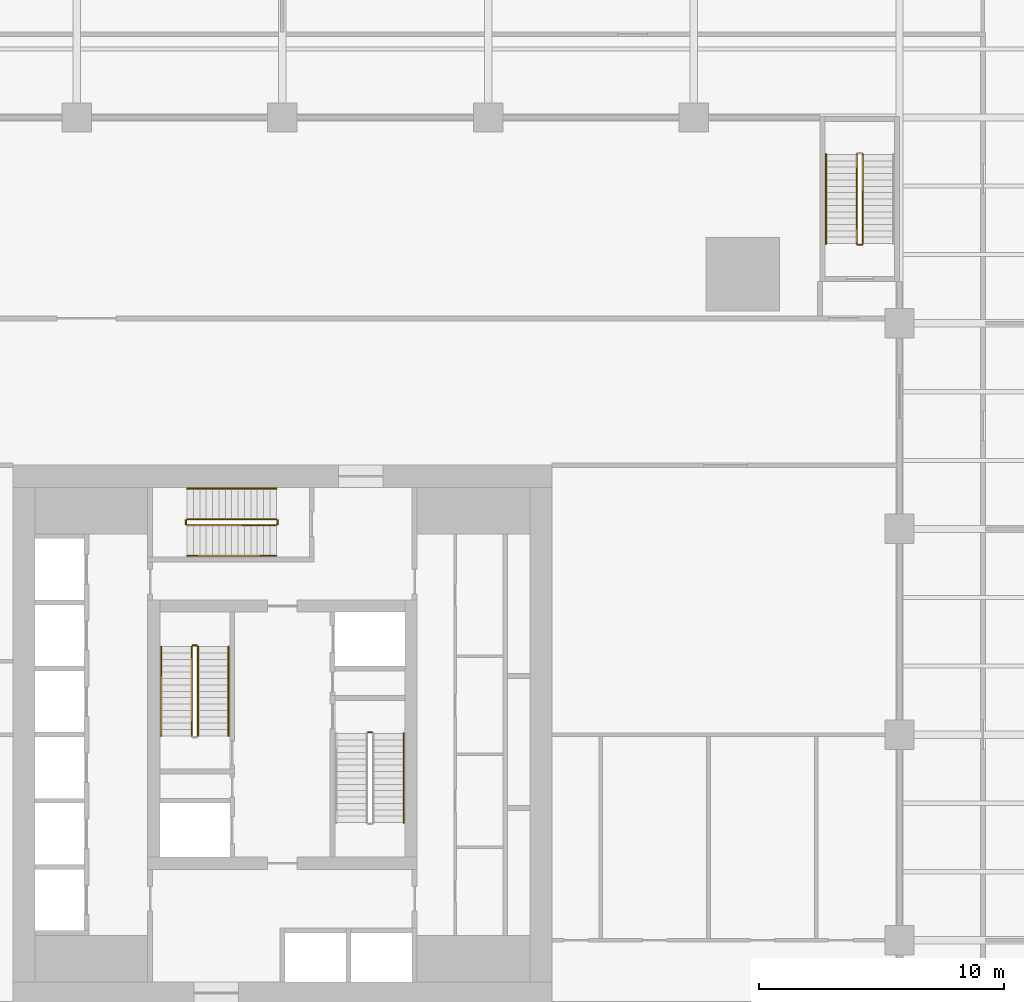
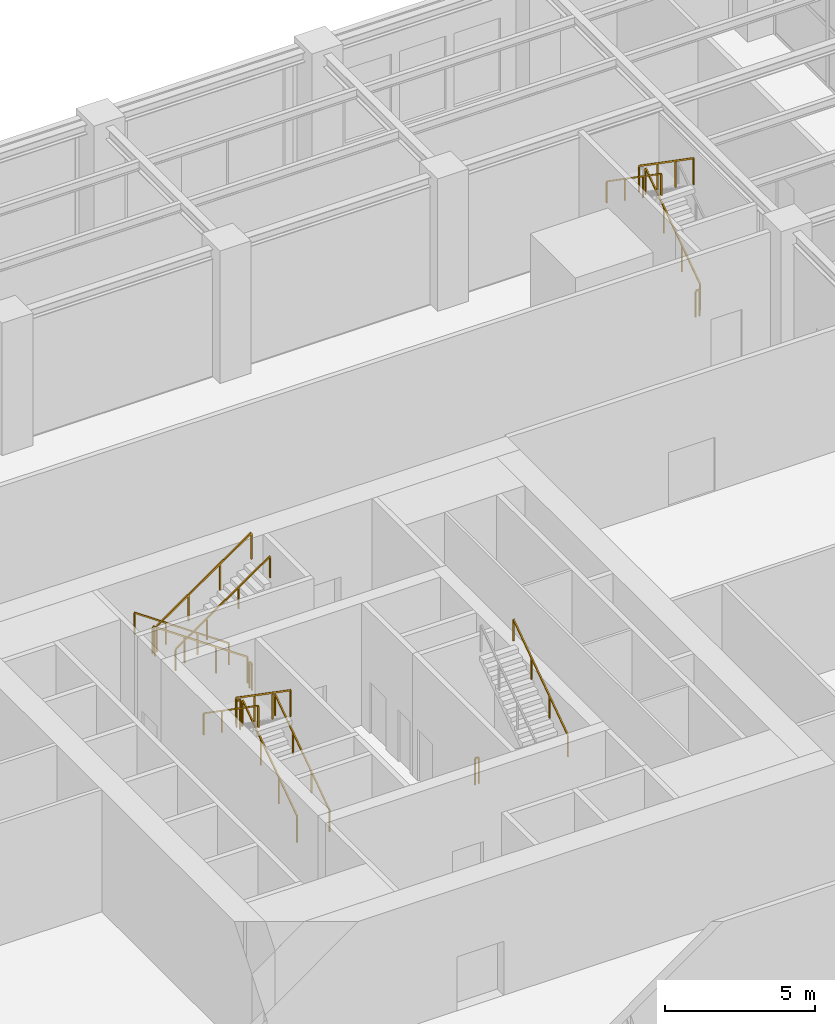
# One storey, part 34 of 36: 17 railings.
"""IFC4 building model written with IfcOpenShell, lengths in metres."""

import ifcopenshell
import ifcopenshell.guid

model = None  # the IFC model being written
_history = None  # IfcOwnerHistory: only IFC2X3 demands one
_inside = {}  # id of a spatial element -> (the spatial element, [elements in it])
_under = {}  # id of a project, library or spatial element -> (it, [spatial elements below it])
_declared = {}  # id of a project -> (the project, [libraries it declares])
_typed = {}  # id of a type object -> (the type object, [elements of that type])
_made_of = {}  # id of a material, layer set ... -> (it, [elements and type objects made of it])


def new_model(schema):
    """Start an empty IFC model of exactly this schema.

    Asked for "IFC4X3", IfcOpenShell would pick the latest addendum, in which some entities
    have other attributes; the version numbers below select the first issue.
    IFC2X3 requires an IfcOwnerHistory on every rooted entity: one is made here for all.
    """
    global model, _history
    if schema == "IFC4X3":
        model = ifcopenshell.file(schema_version=(4, 3, 0, 0))
    else:
        model = ifcopenshell.file(schema=schema)
    _inside.clear()
    _under.clear()
    _declared.clear()
    _typed.clear()
    _made_of.clear()
    _history = None
    if model.schema == "IFC2X3":
        org = make("IfcOrganization", Name="unknown")
        user = make(
            "IfcPersonAndOrganization",
            ThePerson=make("IfcPerson", FamilyName="unknown"),
            TheOrganization=org,
        )
        app = make(
            "IfcApplication",
            ApplicationDeveloper=org,
            Version="unknown",
            ApplicationFullName="unknown",
            ApplicationIdentifier="unknown",
        )
        _history = make(
            "IfcOwnerHistory",
            OwningUser=user,
            OwningApplication=app,
            ChangeAction="ADDED",
            CreationDate=0,
        )
    return model


def make(cls, **values):
    """One entity of the class cls with the attributes given. An attribute that is None is left unset."""
    return model.create_entity(
        cls, **{name: value for name, value in values.items() if value is not None}
    )


def rooted(cls, **values):
    """An entity with a GlobalId (a new one), such as an element, a storey or a relation."""
    return make(cls, GlobalId=ifcopenshell.guid.new(), OwnerHistory=_history, **values)


def si_unit(unit_type, name, prefix=None):
    """IfcSIUnit, for example si_unit("LENGTHUNIT", "METRE", prefix="MILLI")."""
    return make("IfcSIUnit", UnitType=unit_type, Prefix=prefix, Name=name)


def assignment(units):
    """IfcUnitAssignment: the units of a project."""
    return None if units is None else make("IfcUnitAssignment", Units=units)


def point(xyz):
    """IfcCartesianPoint."""
    return None if xyz is None else make("IfcCartesianPoint", Coordinates=xyz)


def direction(xyz):
    """IfcDirection."""
    return None if xyz is None else make("IfcDirection", DirectionRatios=xyz)


def frame(location, z_axis=None, x_axis=None):
    """IfcAxis2Placement3D, a coordinate frame: its origin and axes. An axis left out is left unset."""
    return make(
        "IfcAxis2Placement3D",
        Location=point(location),
        Axis=direction(z_axis),
        RefDirection=direction(x_axis),
    )


def frame_2d(location, x_axis=None):
    """IfcAxis2Placement2D, a coordinate frame in the plane: its origin and x axis."""
    return make(
        "IfcAxis2Placement2D", Location=point(location), RefDirection=direction(x_axis)
    )


def origin():
    """The frame at (0, 0, 0) with its axes left unset."""
    return frame((0.0, 0.0, 0.0))


def origin_2d():
    """The frame at (0, 0) in the plane with its x axis left unset."""
    return frame_2d((0.0, 0.0))


def place(relative_to, where):
    """IfcLocalPlacement: puts the frame where relative to a parent placement (None: the world)."""
    return make(
        "IfcLocalPlacement", PlacementRelTo=relative_to, RelativePlacement=where
    )


def context(
    kind, dimensions, precision=None, world=None, true_north=None, identifier=None
):
    """IfcGeometricRepresentationContext, for example the 3D "Model" context."""
    return make(
        "IfcGeometricRepresentationContext",
        ContextIdentifier=identifier,
        ContextType=kind,
        CoordinateSpaceDimension=dimensions,
        Precision=precision,
        WorldCoordinateSystem=world,
        TrueNorth=true_north,
    )


def subcontext(parent, identifier, kind, view, scale=None):
    """IfcGeometricRepresentationSubContext, for example "Body" below "Model"."""
    return make(
        "IfcGeometricRepresentationSubContext",
        ContextIdentifier=identifier,
        ContextType=kind,
        ParentContext=parent,
        TargetScale=scale,
        TargetView=view,
    )


def project(units=None, contexts=None):
    """IfcProject with its units and contexts."""
    return rooted(
        "IfcProject",
        Name="project",
        RepresentationContexts=contexts,
        UnitsInContext=assignment(units),
    )


def spatial(cls, under=None, at=None, **own):
    """A site, building, storey or space (cls), placed at a placement, below another one or the project."""
    s = rooted(cls, ObjectPlacement=at, **own)
    if under is not None:
        _under.setdefault(under.id(), (under, []))[1].append(s)
    return s


def profile(cls, at=None, kind="AREA", **sizes):
    """A parametric profile (cls). Its sizes go by their IFC names, for example OverallWidth=200.0."""
    return make(cls, ProfileType=kind, Position=at, **sizes)


def rectangle(**sizes):
    """IfcRectangleProfileDef."""
    return profile("IfcRectangleProfileDef", **sizes)


def extrude(swept, where, along, depth):
    """IfcExtrudedAreaSolid: the profile swept, set in the frame where, extruded along a direction by depth."""
    return make(
        "IfcExtrudedAreaSolid",
        SweptArea=swept,
        Position=where,
        ExtrudedDirection=direction(along),
        Depth=depth,
    )


def shape(context_of_items, identifier, shape_type, items):
    """IfcShapeRepresentation: the items that make up one representation, for example the "Body"."""
    return make(
        "IfcShapeRepresentation",
        ContextOfItems=context_of_items,
        RepresentationIdentifier=identifier,
        RepresentationType=shape_type,
        Items=items,
    )


def material(Name=None, Category=None):
    """IfcMaterial."""
    return make("IfcMaterial", Name=Name, Category=Category)


def made_of(thing, what):
    """Note that an element or type object is made of a material, layer set ...; save() writes the relation."""
    if what is not None:
        _made_of.setdefault(what.id(), (what, []))[1].append(thing)
    return thing


def type_object(cls, material=None, **own):
    """A type object (cls), such as IfcWallType, which elements share."""
    return made_of(rooted(cls, **own), material)


def element(
    cls,
    number,
    at=None,
    inside=None,
    cuts=None,
    type_object=None,
    material=None,
    context=None,
    identifier="Body",
    shape_type=None,
    held_by="IfcProductDefinitionShape",
    body=None,
    shapes=None,
    **own,
):
    """One element of the class cls, such as IfcWall. Its Tag is "e" and its number.

    at: its placement. inside: the storey or other place that contains it. cuts: it is an
    opening in that element (IfcRelVoidsElement). A single representation is given by context,
    identifier, shape_type and body (its items); several are given by shapes. held_by: the class
    of the entity that holds the representations. save() writes the other relations.
    """
    e = rooted(cls, Tag="e%d" % number, ObjectPlacement=at, **own)
    if body is not None:
        shapes = [shape(context, identifier, shape_type, body)]
    if shapes is not None:
        e.Representation = make(held_by, Representations=shapes)
    if inside is not None:
        _inside.setdefault(inside.id(), (inside, []))[1].append(e)
    if cuts is not None:
        rooted(
            "IfcRelVoidsElement", RelatingBuildingElement=cuts, RelatedOpeningElement=e
        )
    if type_object is not None:
        _typed.setdefault(type_object.id(), (type_object, []))[1].append(e)
    return made_of(e, material)


def aggregate(whole, parts):
    """IfcRelAggregates: a whole, such as a stair, and the parts it consists of."""
    return rooted("IfcRelAggregates", RelatingObject=whole, RelatedObjects=parts)


def save(model, path):
    """Write the relations noted so far, then the file.

    IfcRelAggregates (storeys below a building ...), IfcRelContainedInSpatialStructure (elements
    in a storey), IfcRelDefinesByType, IfcRelAssociatesMaterial and IfcRelDeclares: one each for
    every whole, place, type object, material and project.
    """
    for whole, parts in _under.values():
        aggregate(whole, parts)
    for where, things in _inside.values():
        rooted(
            "IfcRelContainedInSpatialStructure",
            RelatedElements=things,
            RelatingStructure=where,
        )
    for kind, things in _typed.values():
        rooted("IfcRelDefinesByType", RelatedObjects=things, RelatingType=kind)
    for what, things in _made_of.values():
        rooted("IfcRelAssociatesMaterial", RelatedObjects=things, RelatingMaterial=what)
    for by, libraries in _declared.values():
        rooted("IfcRelDeclares", RelatingContext=by, RelatedDefinitions=libraries)
    model.write(path)


model = new_model("IFC4")

# Units and contexts
model_context = context("Model", 3, precision=1e-05, world=origin(), true_north=direction((0.0, 1.0)))
body_context = subcontext(model_context, "Body", "Model", "MODEL_VIEW")
ifc_project = project(units=[si_unit("LENGTHUNIT", "METRE"), si_unit("AREAUNIT", "SQUARE_METRE"), si_unit("VOLUMEUNIT", "CUBIC_METRE"), si_unit("PLANEANGLEUNIT", "RADIAN"), si_unit("MASSUNIT", "GRAM", prefix="KILO")], contexts=[model_context])

# Site, building, storey
site_placement = place(None, origin())
site = spatial("IfcSite", under=ifc_project, at=site_placement, CompositionType="ELEMENT")
building_placement = place(site_placement, origin())
building = spatial("IfcBuilding", under=site, at=building_placement, Name="Khepri Terraces", CompositionType="ELEMENT")
storey_placement = place(building_placement, frame((0.0, 0.0, 16.800048828125)))
storey = spatial("IfcBuildingStorey", under=building, at=storey_placement, Name="L03", CompositionType="ELEMENT", Elevation=16.800048828125)

# Railings
ifc_material = material(Name="Stainless steel 316", Category="steel")
railing_type_1 = type_object("IfcRailingType", Name="RL-CORE-GUARD", PredefinedType="GUARDRAIL", material=ifc_material)
railing_1_placement = place(storey_placement, frame((-3.449951171875, -0.050048828125, 0.179931640625)))
element("IfcRailing", 1, at=railing_1_placement, inside=storey, type_object=railing_type_1, Name="L03 ST-1 stair guard 1", PredefinedType="GUARDRAIL", context=body_context, shape_type="SweptSolid", body=[
    extrude(rectangle(XDim=0.050048828125, YDim=0.06005859375, at=origin_2d()), frame((0.0, 0.0, 1.070068359375), z_axis=(0.0, 0.82220013233, 0.56919850878), x_axis=(-1.0, 0.0, 0.0)), (0.0, 0.0, 1.0), 4.42724609375),
    extrude(rectangle(XDim=0.050048828125, YDim=0.050048828125, at=origin_2d()), origin(), (0.0, 0.0, 1.0), 1.0400390625),
    extrude(rectangle(XDim=0.050048828125, YDim=0.050048828125, at=origin_2d()), frame((0.0, 1.21337890625, 0.840087890625)), (0.0, 0.0, 1.0), 1.0400390625),
    extrude(rectangle(XDim=0.050048828125, YDim=0.050048828125, at=origin_2d()), frame((0.0, 2.4267578125, 1.679931640625)), (0.0, 0.0, 1.0), 1.0400390625),
    extrude(rectangle(XDim=0.050048828125, YDim=0.050048828125, at=origin_2d()), frame((0.0, 3.64013671875, 2.52001953125)), (0.0, 0.0, 1.0), 1.0400390625),
])
railing_2_placement = place(storey_placement, frame((-3.5, 3.639892578125, 2.699951171875)))
element("IfcRailing", 2, at=railing_2_placement, inside=storey, type_object=railing_type_1, Name="L03 ST-1 stair guard 2", PredefinedType="GUARDRAIL", context=body_context, shape_type="SweptSolid", body=[
    extrude(rectangle(XDim=0.050048828125, YDim=0.06005859375, at=origin_2d()), frame((0.0, 0.0, 1.070068359375), z_axis=(-1.0, 0.0, 0.0), x_axis=(0.0, -1.0, 0.0)), (0.0, 0.0, 1.0), 0.14990234375),
    extrude(rectangle(XDim=0.050048828125, YDim=0.050048828125, at=origin_2d()), origin(), (0.0, 0.0, 1.0), 1.0400390625),
    extrude(rectangle(XDim=0.050048828125, YDim=0.050048828125, at=origin_2d()), frame((-0.14990234375, 0.0, 0.0)), (0.0, 0.0, 1.0), 1.0400390625),
])
railing_3_placement = place(storey_placement, frame((-3.699951171875, 3.590087890625, 2.8798828125)))
element("IfcRailing", 3, at=railing_3_placement, inside=storey, type_object=railing_type_1, Name="L03 ST-1 stair guard 3", PredefinedType="GUARDRAIL", context=body_context, shape_type="SweptSolid", body=[
    extrude(rectangle(XDim=0.050048828125, YDim=0.06005859375, at=origin_2d()), frame((0.0, 0.0, 1.070068359375), z_axis=(0.0, -0.82220013233, 0.56919850878), x_axis=(1.0, 0.0, 0.0)), (0.0, 0.0, 1.0), 4.42724609375),
    extrude(rectangle(XDim=0.050048828125, YDim=0.050048828125, at=origin_2d()), origin(), (0.0, 0.0, 1.0), 1.0400390625),
    extrude(rectangle(XDim=0.050048828125, YDim=0.050048828125, at=origin_2d()), frame((0.0, -1.21337890625, 0.840087890625)), (0.0, 0.0, 1.0), 1.0400390625),
    extrude(rectangle(XDim=0.050048828125, YDim=0.050048828125, at=origin_2d()), frame((0.0, -2.4267578125, 1.679931640625)), (0.0, 0.0, 1.0), 1.0400390625),
    extrude(rectangle(XDim=0.050048828125, YDim=0.050048828125, at=origin_2d()), frame((0.0, -3.64013671875, 2.52001953125)), (0.0, 0.0, 1.0), 1.0400390625),
])
railing_4_placement = place(storey_placement, frame((3.5, 0.10009765625, 0.0)))
element("IfcRailing", 4, at=railing_4_placement, inside=storey, type_object=railing_type_1, Name="L03 ST-2 stair guard 4", PredefinedType="GUARDRAIL", context=body_context, shape_type="SweptSolid", body=[
    extrude(rectangle(XDim=0.050048828125, YDim=0.06005859375, at=origin_2d()), frame((0.0, 0.0, 1.070068359375), z_axis=(1.0, 0.0, 0.0), x_axis=(0.0, 1.0, 0.0)), (0.0, 0.0, 1.0), 0.14990234375),
    extrude(rectangle(XDim=0.050048828125, YDim=0.050048828125, at=origin_2d()), origin(), (0.0, 0.0, 1.0), 1.0400390625),
    extrude(rectangle(XDim=0.050048828125, YDim=0.050048828125, at=origin_2d()), frame((0.14990234375, 0.0, 0.0)), (0.0, 0.0, 1.0), 1.0400390625),
])
railing_5_placement = place(storey_placement, frame((-0.25, 8.800048828125, 0.179931640625)))
element("IfcRailing", 5, at=railing_5_placement, inside=storey, type_object=railing_type_1, Name="L03 ST-3 stair guard 1", PredefinedType="GUARDRAIL", context=body_context, shape_type="SweptSolid", body=[
    extrude(rectangle(XDim=0.050048828125, YDim=0.06005859375, at=origin_2d()), frame((0.0, 0.0, 1.070068359375), z_axis=(-0.822182265111, 0.0, 0.569224316888), x_axis=(0.0, -1.0, 0.0)), (0.0, 0.0, 1.0), 4.427001953125),
    extrude(rectangle(XDim=0.050048828125, YDim=0.050048828125, at=origin_2d()), origin(), (0.0, 0.0, 1.0), 1.0400390625),
    extrude(rectangle(XDim=0.050048828125, YDim=0.050048828125, at=origin_2d()), frame((-1.21337890625, 0.0, 0.840087890625)), (0.0, 0.0, 1.0), 1.0400390625),
    extrude(rectangle(XDim=0.050048828125, YDim=0.050048828125, at=origin_2d()), frame((-2.426513671875, 0.0, 1.679931640625)), (0.0, 0.0, 1.0), 1.0400390625),
    extrude(rectangle(XDim=0.050048828125, YDim=0.050048828125, at=origin_2d()), frame((-3.639892578125, 0.0, 2.52001953125)), (0.0, 0.0, 1.0), 1.0400390625),
])
railing_6_placement = place(storey_placement, frame((-3.93994140625, 8.75, 2.699951171875)))
element("IfcRailing", 6, at=railing_6_placement, inside=storey, type_object=railing_type_1, Name="L03 ST-3 stair guard 2", PredefinedType="GUARDRAIL", context=body_context, shape_type="SweptSolid", body=[
    extrude(rectangle(XDim=0.050048828125, YDim=0.06005859375, at=origin_2d()), frame((0.0, 0.0, 1.070068359375), z_axis=(0.0, -1.0, 0.0), x_axis=(1.0, 0.0, 0.0)), (0.0, 0.0, 1.0), 0.14990234375),
    extrude(rectangle(XDim=0.050048828125, YDim=0.050048828125, at=origin_2d()), origin(), (0.0, 0.0, 1.0), 1.0400390625),
    extrude(rectangle(XDim=0.050048828125, YDim=0.050048828125, at=origin_2d()), frame((0.0, -0.14990234375, 0.0)), (0.0, 0.0, 1.0), 1.0400390625),
])
railing_7_placement = place(storey_placement, frame((-3.889892578125, 8.550048828125, 2.8798828125)))
element("IfcRailing", 7, at=railing_7_placement, inside=storey, type_object=railing_type_1, Name="L03 ST-3 stair guard 3", PredefinedType="GUARDRAIL", context=body_context, shape_type="SweptSolid", body=[
    extrude(rectangle(XDim=0.050048828125, YDim=0.06005859375, at=origin_2d()), frame((0.0, 0.0, 1.070068359375), z_axis=(0.822182265111, 0.0, 0.569224316888), x_axis=(0.0, 1.0, 0.0)), (0.0, 0.0, 1.0), 4.427001953125),
    extrude(rectangle(XDim=0.050048828125, YDim=0.050048828125, at=origin_2d()), origin(), (0.0, 0.0, 1.0), 1.0400390625),
    extrude(rectangle(XDim=0.050048828125, YDim=0.050048828125, at=origin_2d()), frame((1.21337890625, 0.0, 0.840087890625)), (0.0, 0.0, 1.0), 1.0400390625),
    extrude(rectangle(XDim=0.050048828125, YDim=0.050048828125, at=origin_2d()), frame((2.426513671875, 0.0, 1.679931640625)), (0.0, 0.0, 1.0), 1.0400390625),
    extrude(rectangle(XDim=0.050048828125, YDim=0.050048828125, at=origin_2d()), frame((3.639892578125, 0.0, 2.52001953125)), (0.0, 0.0, 1.0), 1.0400390625),
])
railing_8_placement = place(storey_placement, frame((-0.199951171875, 8.75, 0.0)))
element("IfcRailing", 8, at=railing_8_placement, inside=storey, type_object=railing_type_1, Name="L03 ST-3 stair guard 4", PredefinedType="GUARDRAIL", context=body_context, shape_type="SweptSolid", body=[
    extrude(rectangle(XDim=0.050048828125, YDim=0.06005859375, at=origin_2d()), frame((0.0, 0.0, 1.070068359375), z_axis=(0.0, -1.0, 0.0), x_axis=(1.0, 0.0, 0.0)), (0.0, 0.0, 1.0), 0.14990234375),
    extrude(rectangle(XDim=0.050048828125, YDim=0.050048828125, at=origin_2d()), origin(), (0.0, 0.0, 1.0), 1.0400390625),
    extrude(rectangle(XDim=0.050048828125, YDim=0.050048828125, at=origin_2d()), frame((0.0, -0.14990234375, 0.0)), (0.0, 0.0, 1.0), 1.0400390625),
])
railing_type_2 = type_object("IfcRailingType", Name="RL-CORE-HANDRAIL", PredefinedType="HANDRAIL", material=ifc_material)
railing_9_placement = place(storey_placement, frame((-2.199951171875, -0.050048828125, 0.179931640625)))
element("IfcRailing", 9, at=railing_9_placement, inside=storey, type_object=railing_type_2, Name="L03 ST-1 stair handrail 1", PredefinedType="HANDRAIL", context=body_context, shape_type="SweptSolid", body=[
    extrude(rectangle(XDim=0.050048828125, YDim=0.050048828125, at=origin_2d()), frame((0.0, 0.0, 0.875), z_axis=(0.0, 0.82220013233, 0.56919850878), x_axis=(-1.0, 0.0, 0.0)), (0.0, 0.0, 1.0), 4.42724609375),
    extrude(rectangle(XDim=0.050048828125, YDim=0.050048828125, at=origin_2d()), origin(), (0.0, 0.0, 1.0), 0.849853515625),
    extrude(rectangle(XDim=0.050048828125, YDim=0.050048828125, at=origin_2d()), frame((0.0, 1.21337890625, 0.840087890625)), (0.0, 0.0, 1.0), 0.849853515625),
    extrude(rectangle(XDim=0.050048828125, YDim=0.050048828125, at=origin_2d()), frame((0.0, 2.4267578125, 1.679931640625)), (0.0, 0.0, 1.0), 0.849853515625),
    extrude(rectangle(XDim=0.050048828125, YDim=0.050048828125, at=origin_2d()), frame((0.0, 3.64013671875, 2.52001953125)), (0.0, 0.0, 1.0), 0.849853515625),
])
railing_10_placement = place(storey_placement, frame((-4.949951171875, 3.590087890625, 2.8798828125)))
element("IfcRailing", 10, at=railing_10_placement, inside=storey, type_object=railing_type_2, Name="L03 ST-1 stair handrail 2", PredefinedType="HANDRAIL", context=body_context, shape_type="SweptSolid", body=[
    extrude(rectangle(XDim=0.050048828125, YDim=0.050048828125, at=origin_2d()), frame((0.0, 0.0, 0.875), z_axis=(0.0, -0.82220013233, 0.56919850878), x_axis=(1.0, 0.0, 0.0)), (0.0, 0.0, 1.0), 4.42724609375),
    extrude(rectangle(XDim=0.050048828125, YDim=0.050048828125, at=origin_2d()), origin(), (0.0, 0.0, 1.0), 0.849853515625),
    extrude(rectangle(XDim=0.050048828125, YDim=0.050048828125, at=origin_2d()), frame((0.0, -1.21337890625, 0.840087890625)), (0.0, 0.0, 1.0), 0.849853515625),
    extrude(rectangle(XDim=0.050048828125, YDim=0.050048828125, at=origin_2d()), frame((0.0, -2.4267578125, 1.679931640625)), (0.0, 0.0, 1.0), 0.849853515625),
    extrude(rectangle(XDim=0.050048828125, YDim=0.050048828125, at=origin_2d()), frame((0.0, -3.64013671875, 2.52001953125)), (0.0, 0.0, 1.0), 0.849853515625),
])
railing_11_placement = place(storey_placement, frame((4.949951171875, -3.590087890625, 2.8798828125)))
element("IfcRailing", 11, at=railing_11_placement, inside=storey, type_object=railing_type_2, Name="L03 ST-2 stair handrail 2", PredefinedType="HANDRAIL", context=body_context, shape_type="SweptSolid", body=[
    extrude(rectangle(XDim=0.050048828125, YDim=0.050048828125, at=origin_2d()), frame((0.0, 0.0, 0.875), z_axis=(0.0, 0.82220013233, 0.56919850878), x_axis=(-1.0, 0.0, 0.0)), (0.0, 0.0, 1.0), 4.42724609375),
    extrude(rectangle(XDim=0.050048828125, YDim=0.050048828125, at=origin_2d()), origin(), (0.0, 0.0, 1.0), 0.849853515625),
    extrude(rectangle(XDim=0.050048828125, YDim=0.050048828125, at=origin_2d()), frame((0.0, 1.21337890625, 0.840087890625)), (0.0, 0.0, 1.0), 0.849853515625),
    extrude(rectangle(XDim=0.050048828125, YDim=0.050048828125, at=origin_2d()), frame((0.0, 2.4267578125, 1.679931640625)), (0.0, 0.0, 1.0), 0.849853515625),
    extrude(rectangle(XDim=0.050048828125, YDim=0.050048828125, at=origin_2d()), frame((0.0, 3.64013671875, 2.52001953125)), (0.0, 0.0, 1.0), 0.849853515625),
])
railing_12_placement = place(storey_placement, frame((-0.25, 10.050048828125, 0.179931640625)))
element("IfcRailing", 12, at=railing_12_placement, inside=storey, type_object=railing_type_2, Name="L03 ST-3 stair handrail 1", PredefinedType="HANDRAIL", context=body_context, shape_type="SweptSolid", body=[
    extrude(rectangle(XDim=0.050048828125, YDim=0.050048828125, at=origin_2d()), frame((0.0, 0.0, 0.875), z_axis=(-0.822182265111, 0.0, 0.569224316888), x_axis=(0.0, -1.0, 0.0)), (0.0, 0.0, 1.0), 4.427001953125),
    extrude(rectangle(XDim=0.050048828125, YDim=0.050048828125, at=origin_2d()), origin(), (0.0, 0.0, 1.0), 0.849853515625),
    extrude(rectangle(XDim=0.050048828125, YDim=0.050048828125, at=origin_2d()), frame((-1.21337890625, 0.0, 0.840087890625)), (0.0, 0.0, 1.0), 0.849853515625),
    extrude(rectangle(XDim=0.050048828125, YDim=0.050048828125, at=origin_2d()), frame((-2.426513671875, 0.0, 1.679931640625)), (0.0, 0.0, 1.0), 0.849853515625),
    extrude(rectangle(XDim=0.050048828125, YDim=0.050048828125, at=origin_2d()), frame((-3.639892578125, 0.0, 2.52001953125)), (0.0, 0.0, 1.0), 0.849853515625),
])
railing_13_placement = place(storey_placement, frame((-3.889892578125, 7.300048828125, 2.8798828125)))
element("IfcRailing", 13, at=railing_13_placement, inside=storey, type_object=railing_type_2, Name="L03 ST-3 stair handrail 2", PredefinedType="HANDRAIL", context=body_context, shape_type="SweptSolid", body=[
    extrude(rectangle(XDim=0.050048828125, YDim=0.050048828125, at=origin_2d()), frame((0.0, 0.0, 0.875), z_axis=(0.822182265111, 0.0, 0.569224316888), x_axis=(0.0, 1.0, 0.0)), (0.0, 0.0, 1.0), 4.427001953125),
    extrude(rectangle(XDim=0.050048828125, YDim=0.050048828125, at=origin_2d()), origin(), (0.0, 0.0, 1.0), 0.849853515625),
    extrude(rectangle(XDim=0.050048828125, YDim=0.050048828125, at=origin_2d()), frame((1.21337890625, 0.0, 0.840087890625)), (0.0, 0.0, 1.0), 0.849853515625),
    extrude(rectangle(XDim=0.050048828125, YDim=0.050048828125, at=origin_2d()), frame((2.426513671875, 0.0, 1.679931640625)), (0.0, 0.0, 1.0), 0.849853515625),
    extrude(rectangle(XDim=0.050048828125, YDim=0.050048828125, at=origin_2d()), frame((3.639892578125, 0.0, 2.52001953125)), (0.0, 0.0, 1.0), 0.849853515625),
])
railing_type_3 = type_object("IfcRailingType", Name="RL-POD-GUARD", PredefinedType="GUARDRAIL", material=ifc_material)
railing_14_placement = place(storey_placement, frame((23.699951171875, 20.050048828125, 0.179931640625)))
element("IfcRailing", 14, at=railing_14_placement, inside=storey, type_object=railing_type_3, Name="L03 PS-1 stair guard 1", PredefinedType="GUARDRAIL", context=body_context, shape_type="SweptSolid", body=[
    extrude(rectangle(XDim=0.050048828125, YDim=0.06005859375, at=origin_2d()), frame((0.0, 0.0, 1.070068359375), z_axis=(0.0, 0.822182265111, 0.569224316888), x_axis=(-1.0, 0.0, 0.0)), (0.0, 0.0, 1.0), 4.427001953125),
    extrude(rectangle(XDim=0.050048828125, YDim=0.050048828125, at=origin_2d()), origin(), (0.0, 0.0, 1.0), 1.0400390625),
    extrude(rectangle(XDim=0.050048828125, YDim=0.050048828125, at=origin_2d()), frame((0.0, 1.21337890625, 0.840087890625)), (0.0, 0.0, 1.0), 1.0400390625),
    extrude(rectangle(XDim=0.050048828125, YDim=0.050048828125, at=origin_2d()), frame((0.0, 2.426513671875, 1.679931640625)), (0.0, 0.0, 1.0), 1.0400390625),
    extrude(rectangle(XDim=0.050048828125, YDim=0.050048828125, at=origin_2d()), frame((0.0, 3.639892578125, 2.52001953125)), (0.0, 0.0, 1.0), 1.0400390625),
])
railing_15_placement = place(storey_placement, frame((23.449951171875, 23.68994140625, 2.8798828125)))
element("IfcRailing", 15, at=railing_15_placement, inside=storey, type_object=railing_type_3, Name="L03 PS-1 stair guard 3", PredefinedType="GUARDRAIL", context=body_context, shape_type="SweptSolid", body=[
    extrude(rectangle(XDim=0.050048828125, YDim=0.06005859375, at=origin_2d()), frame((0.0, 0.0, 1.070068359375), z_axis=(0.0, -0.822182265111, 0.569224316888), x_axis=(1.0, 0.0, 0.0)), (0.0, 0.0, 1.0), 4.427001953125),
    extrude(rectangle(XDim=0.050048828125, YDim=0.050048828125, at=origin_2d()), origin(), (0.0, 0.0, 1.0), 1.0400390625),
    extrude(rectangle(XDim=0.050048828125, YDim=0.050048828125, at=origin_2d()), frame((0.0, -1.21337890625, 0.840087890625)), (0.0, 0.0, 1.0), 1.0400390625),
    extrude(rectangle(XDim=0.050048828125, YDim=0.050048828125, at=origin_2d()), frame((0.0, -2.426513671875, 1.679931640625)), (0.0, 0.0, 1.0), 1.0400390625),
    extrude(rectangle(XDim=0.050048828125, YDim=0.050048828125, at=origin_2d()), frame((0.0, -3.639892578125, 2.52001953125)), (0.0, 0.0, 1.0), 1.0400390625),
])
railing_16_placement = place(storey_placement, frame((23.64990234375, 20.0, 0.0)))
element("IfcRailing", 16, at=railing_16_placement, inside=storey, type_object=railing_type_3, Name="L03 PS-1 stair guard 4", PredefinedType="GUARDRAIL", context=body_context, shape_type="SweptSolid", body=[
    extrude(rectangle(XDim=0.050048828125, YDim=0.06005859375, at=origin_2d()), frame((0.0, 0.0, 1.070068359375), z_axis=(-1.0, 0.0, 0.0), x_axis=(0.0, -1.0, 0.0)), (0.0, 0.0, 1.0), 0.14990234375),
    extrude(rectangle(XDim=0.050048828125, YDim=0.050048828125, at=origin_2d()), origin(), (0.0, 0.0, 1.0), 1.0400390625),
    extrude(rectangle(XDim=0.050048828125, YDim=0.050048828125, at=origin_2d()), frame((-0.14990234375, 0.0, 0.0)), (0.0, 0.0, 1.0), 1.0400390625),
])
railing_type_4 = type_object("IfcRailingType", Name="RL-POD-HANDRAIL", PredefinedType="HANDRAIL", material=ifc_material)
railing_17_placement = place(storey_placement, frame((22.199951171875, 23.68994140625, 2.8798828125)))
element("IfcRailing", 17, at=railing_17_placement, inside=storey, type_object=railing_type_4, Name="L03 PS-1 stair handrail 2", PredefinedType="HANDRAIL", context=body_context, shape_type="SweptSolid", body=[
    extrude(rectangle(XDim=0.050048828125, YDim=0.050048828125, at=origin_2d()), frame((0.0, 0.0, 0.875), z_axis=(0.0, -0.822182265111, 0.569224316888), x_axis=(1.0, 0.0, 0.0)), (0.0, 0.0, 1.0), 4.427001953125),
    extrude(rectangle(XDim=0.050048828125, YDim=0.050048828125, at=origin_2d()), origin(), (0.0, 0.0, 1.0), 0.849853515625),
    extrude(rectangle(XDim=0.050048828125, YDim=0.050048828125, at=origin_2d()), frame((0.0, -1.21337890625, 0.840087890625)), (0.0, 0.0, 1.0), 0.849853515625),
    extrude(rectangle(XDim=0.050048828125, YDim=0.050048828125, at=origin_2d()), frame((0.0, -2.426513671875, 1.679931640625)), (0.0, 0.0, 1.0), 0.849853515625),
    extrude(rectangle(XDim=0.050048828125, YDim=0.050048828125, at=origin_2d()), frame((0.0, -3.639892578125, 2.52001953125)), (0.0, 0.0, 1.0), 0.849853515625),
])

save(model, "model.ifc")
